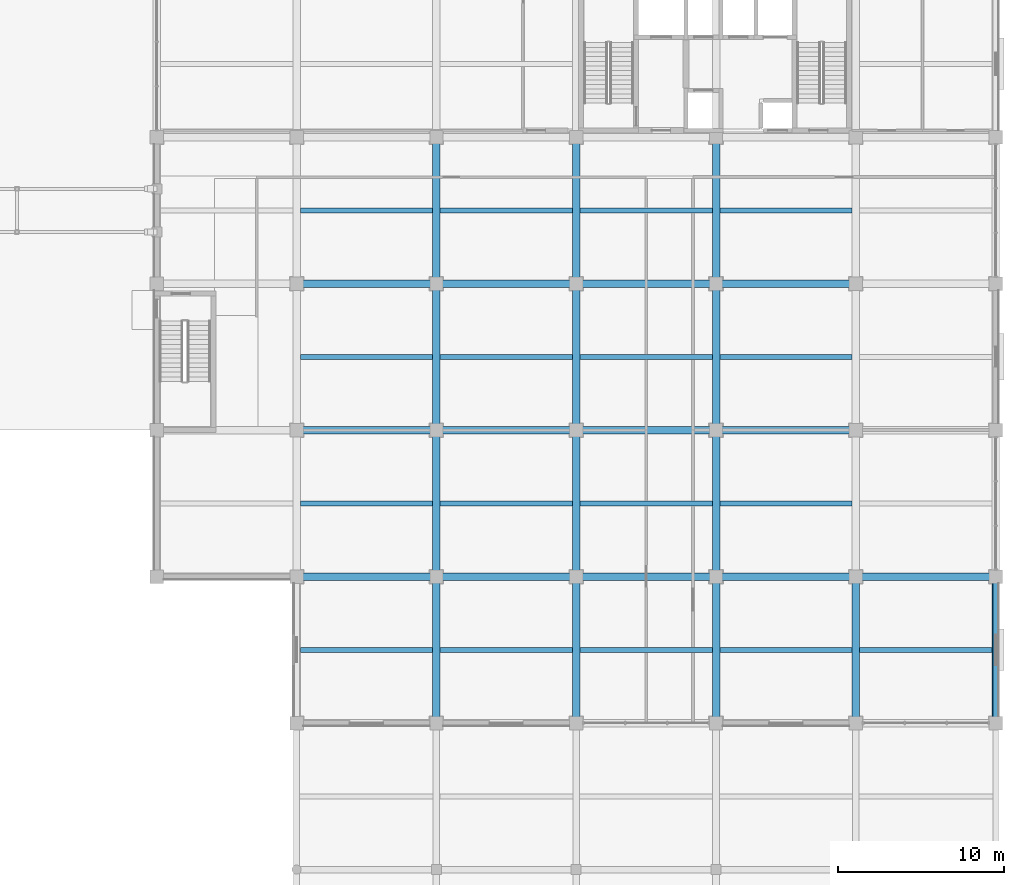
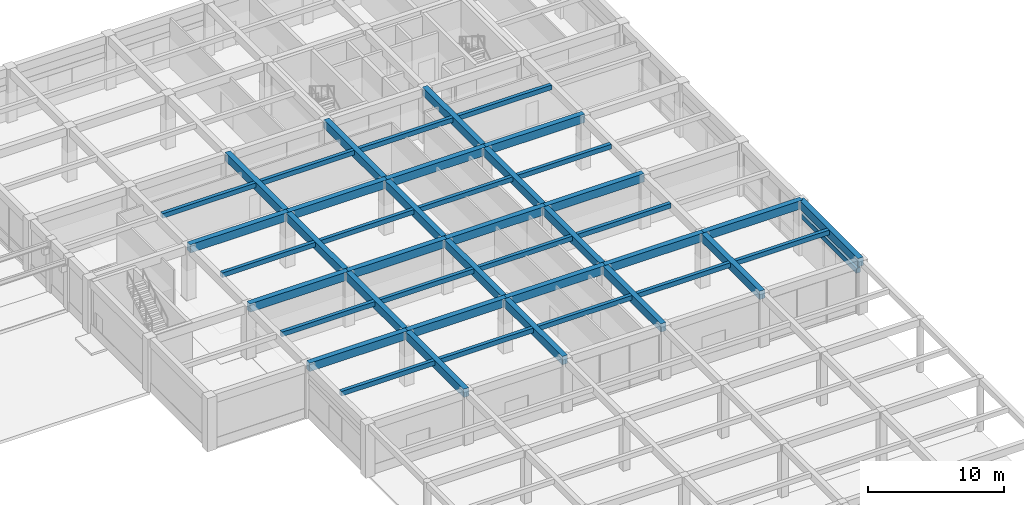
# One storey, part 22 of 58: 45 beams.
"""IFC4 building model written with IfcOpenShell, lengths in metres."""

import ifcopenshell
import ifcopenshell.guid

model = None  # the IFC model being written
_history = None  # IfcOwnerHistory: only IFC2X3 demands one
_inside = {}  # id of a spatial element -> (the spatial element, [elements in it])
_under = {}  # id of a project, library or spatial element -> (it, [spatial elements below it])
_declared = {}  # id of a project -> (the project, [libraries it declares])
_typed = {}  # id of a type object -> (the type object, [elements of that type])
_made_of = {}  # id of a material, layer set ... -> (it, [elements and type objects made of it])


def new_model(schema):
    """Start an empty IFC model of exactly this schema.

    Asked for "IFC4X3", IfcOpenShell would pick the latest addendum, in which some entities
    have other attributes; the version numbers below select the first issue.
    IFC2X3 requires an IfcOwnerHistory on every rooted entity: one is made here for all.
    """
    global model, _history
    if schema == "IFC4X3":
        model = ifcopenshell.file(schema_version=(4, 3, 0, 0))
    else:
        model = ifcopenshell.file(schema=schema)
    _inside.clear()
    _under.clear()
    _declared.clear()
    _typed.clear()
    _made_of.clear()
    _history = None
    if model.schema == "IFC2X3":
        org = make("IfcOrganization", Name="unknown")
        user = make(
            "IfcPersonAndOrganization",
            ThePerson=make("IfcPerson", FamilyName="unknown"),
            TheOrganization=org,
        )
        app = make(
            "IfcApplication",
            ApplicationDeveloper=org,
            Version="unknown",
            ApplicationFullName="unknown",
            ApplicationIdentifier="unknown",
        )
        _history = make(
            "IfcOwnerHistory",
            OwningUser=user,
            OwningApplication=app,
            ChangeAction="ADDED",
            CreationDate=0,
        )
    return model


def make(cls, **values):
    """One entity of the class cls with the attributes given. An attribute that is None is left unset."""
    return model.create_entity(
        cls, **{name: value for name, value in values.items() if value is not None}
    )


def rooted(cls, **values):
    """An entity with a GlobalId (a new one), such as an element, a storey or a relation."""
    return make(cls, GlobalId=ifcopenshell.guid.new(), OwnerHistory=_history, **values)


def si_unit(unit_type, name, prefix=None):
    """IfcSIUnit, for example si_unit("LENGTHUNIT", "METRE", prefix="MILLI")."""
    return make("IfcSIUnit", UnitType=unit_type, Prefix=prefix, Name=name)


def assignment(units):
    """IfcUnitAssignment: the units of a project."""
    return None if units is None else make("IfcUnitAssignment", Units=units)


def point(xyz):
    """IfcCartesianPoint."""
    return None if xyz is None else make("IfcCartesianPoint", Coordinates=xyz)


def direction(xyz):
    """IfcDirection."""
    return None if xyz is None else make("IfcDirection", DirectionRatios=xyz)


def frame(location, z_axis=None, x_axis=None):
    """IfcAxis2Placement3D, a coordinate frame: its origin and axes. An axis left out is left unset."""
    return make(
        "IfcAxis2Placement3D",
        Location=point(location),
        Axis=direction(z_axis),
        RefDirection=direction(x_axis),
    )


def frame_2d(location, x_axis=None):
    """IfcAxis2Placement2D, a coordinate frame in the plane: its origin and x axis."""
    return make(
        "IfcAxis2Placement2D", Location=point(location), RefDirection=direction(x_axis)
    )


def origin():
    """The frame at (0, 0, 0) with its axes left unset."""
    return frame((0.0, 0.0, 0.0))


def origin_2d():
    """The frame at (0, 0) in the plane with its x axis left unset."""
    return frame_2d((0.0, 0.0))


def place(relative_to, where):
    """IfcLocalPlacement: puts the frame where relative to a parent placement (None: the world)."""
    return make(
        "IfcLocalPlacement", PlacementRelTo=relative_to, RelativePlacement=where
    )


def context(
    kind, dimensions, precision=None, world=None, true_north=None, identifier=None
):
    """IfcGeometricRepresentationContext, for example the 3D "Model" context."""
    return make(
        "IfcGeometricRepresentationContext",
        ContextIdentifier=identifier,
        ContextType=kind,
        CoordinateSpaceDimension=dimensions,
        Precision=precision,
        WorldCoordinateSystem=world,
        TrueNorth=true_north,
    )


def subcontext(parent, identifier, kind, view, scale=None):
    """IfcGeometricRepresentationSubContext, for example "Body" below "Model"."""
    return make(
        "IfcGeometricRepresentationSubContext",
        ContextIdentifier=identifier,
        ContextType=kind,
        ParentContext=parent,
        TargetScale=scale,
        TargetView=view,
    )


def project(units=None, contexts=None):
    """IfcProject with its units and contexts."""
    return rooted(
        "IfcProject",
        Name="project",
        RepresentationContexts=contexts,
        UnitsInContext=assignment(units),
    )


def spatial(cls, under=None, at=None, **own):
    """A site, building, storey or space (cls), placed at a placement, below another one or the project."""
    s = rooted(cls, ObjectPlacement=at, **own)
    if under is not None:
        _under.setdefault(under.id(), (under, []))[1].append(s)
    return s


def profile(cls, at=None, kind="AREA", **sizes):
    """A parametric profile (cls). Its sizes go by their IFC names, for example OverallWidth=200.0."""
    return make(cls, ProfileType=kind, Position=at, **sizes)


def rectangle(**sizes):
    """IfcRectangleProfileDef."""
    return profile("IfcRectangleProfileDef", **sizes)


def extrude(swept, where, along, depth):
    """IfcExtrudedAreaSolid: the profile swept, set in the frame where, extruded along a direction by depth."""
    return make(
        "IfcExtrudedAreaSolid",
        SweptArea=swept,
        Position=where,
        ExtrudedDirection=direction(along),
        Depth=depth,
    )


def shape(context_of_items, identifier, shape_type, items):
    """IfcShapeRepresentation: the items that make up one representation, for example the "Body"."""
    return make(
        "IfcShapeRepresentation",
        ContextOfItems=context_of_items,
        RepresentationIdentifier=identifier,
        RepresentationType=shape_type,
        Items=items,
    )


def material(Name=None, Category=None):
    """IfcMaterial."""
    return make("IfcMaterial", Name=Name, Category=Category)


def material_profile(
    of_material, cross_section, Name=None, Category=None, Priority=None
):
    """IfcMaterialProfile: a cross section and its material."""
    return make(
        "IfcMaterialProfile",
        Name=Name,
        Material=of_material,
        Profile=cross_section,
        Priority=Priority,
        Category=Category,
    )


def profile_set(profiles, Name=None, composite=None):
    """IfcMaterialProfileSet."""
    return make(
        "IfcMaterialProfileSet",
        Name=Name,
        MaterialProfiles=profiles,
        CompositeProfile=composite,
    )


def made_of(thing, what):
    """Note that an element or type object is made of a material, layer set ...; save() writes the relation."""
    if what is not None:
        _made_of.setdefault(what.id(), (what, []))[1].append(thing)
    return thing


def type_object(cls, material=None, **own):
    """A type object (cls), such as IfcWallType, which elements share."""
    return made_of(rooted(cls, **own), material)


def element(
    cls,
    number,
    at=None,
    inside=None,
    cuts=None,
    type_object=None,
    material=None,
    context=None,
    identifier="Body",
    shape_type=None,
    held_by="IfcProductDefinitionShape",
    body=None,
    shapes=None,
    **own,
):
    """One element of the class cls, such as IfcWall. Its Tag is "e" and its number.

    at: its placement. inside: the storey or other place that contains it. cuts: it is an
    opening in that element (IfcRelVoidsElement). A single representation is given by context,
    identifier, shape_type and body (its items); several are given by shapes. held_by: the class
    of the entity that holds the representations. save() writes the other relations.
    """
    e = rooted(cls, Tag="e%d" % number, ObjectPlacement=at, **own)
    if body is not None:
        shapes = [shape(context, identifier, shape_type, body)]
    if shapes is not None:
        e.Representation = make(held_by, Representations=shapes)
    if inside is not None:
        _inside.setdefault(inside.id(), (inside, []))[1].append(e)
    if cuts is not None:
        rooted(
            "IfcRelVoidsElement", RelatingBuildingElement=cuts, RelatedOpeningElement=e
        )
    if type_object is not None:
        _typed.setdefault(type_object.id(), (type_object, []))[1].append(e)
    return made_of(e, material)


def aggregate(whole, parts):
    """IfcRelAggregates: a whole, such as a stair, and the parts it consists of."""
    return rooted("IfcRelAggregates", RelatingObject=whole, RelatedObjects=parts)


def save(model, path):
    """Write the relations noted so far, then the file.

    IfcRelAggregates (storeys below a building ...), IfcRelContainedInSpatialStructure (elements
    in a storey), IfcRelDefinesByType, IfcRelAssociatesMaterial and IfcRelDeclares: one each for
    every whole, place, type object, material and project.
    """
    for whole, parts in _under.values():
        aggregate(whole, parts)
    for where, things in _inside.values():
        rooted(
            "IfcRelContainedInSpatialStructure",
            RelatedElements=things,
            RelatingStructure=where,
        )
    for kind, things in _typed.values():
        rooted("IfcRelDefinesByType", RelatedObjects=things, RelatingType=kind)
    for what, things in _made_of.values():
        rooted("IfcRelAssociatesMaterial", RelatedObjects=things, RelatingMaterial=what)
    for by, libraries in _declared.values():
        rooted("IfcRelDeclares", RelatingContext=by, RelatedDefinitions=libraries)
    model.write(path)


model = new_model("IFC4")

# Units and contexts
model_context = context("Model", 3, precision=1e-05, world=origin(), true_north=direction((0.0, 1.0)))
body_context = subcontext(model_context, "Body", "Model", "MODEL_VIEW")
ifc_project = project(units=[si_unit("LENGTHUNIT", "METRE"), si_unit("AREAUNIT", "SQUARE_METRE"), si_unit("VOLUMEUNIT", "CUBIC_METRE"), si_unit("PLANEANGLEUNIT", "RADIAN"), si_unit("MASSUNIT", "GRAM", prefix="KILO")], contexts=[model_context])

# Site, building, storey
site_placement = place(None, origin())
site = spatial("IfcSite", under=ifc_project, at=site_placement, CompositionType="ELEMENT")
building_placement = place(site_placement, origin())
building = spatial("IfcBuilding", under=site, at=building_placement, Name="Kemercrest Conservatory and Botanical Centre", CompositionType="ELEMENT")
storey_placement = place(building_placement, origin())
storey = spatial("IfcBuildingStorey", under=building, at=storey_placement, Name="L00", CompositionType="ELEMENT", Elevation=0.0)

# Beams
ifc_material_1 = material(Name="Concrete C40/50", Category="concrete")
ifc_material_profile_1 = material_profile(ifc_material_1, rectangle(XDim=0.449951171875, YDim=0.75, at=origin_2d()), Name="RC 450x750")
ifc_profile_set_1 = profile_set([ifc_material_profile_1], Name="Concrete C40/50")
beam_type_1 = type_object("IfcBeamType", Name="BM-RC75", PredefinedType="BEAM", material=ifc_profile_set_1)
beam_1_placement = place(storey_placement, frame((134.0, 78.39990234375, 4.425048828125), z_axis=(1.0, 0.0, 0.0), x_axis=(0.0, 1.0, 0.0)))
element("IfcBeam", 1, at=beam_1_placement, inside=storey, type_object=beam_type_1, Name="V4-L01 beam BM-RC75 J/16-17", PredefinedType="BEAM", context=body_context, shape_type="SweptSolid", body=[
    extrude(rectangle(XDim=0.449951171875, YDim=0.75, at=origin_2d()), origin(), (0.0, 0.0, 1.0), 8.39990234375),
])
beam_2_placement = place(storey_placement, frame((142.39990234375, 78.39990234375, 4.425048828125), z_axis=(1.0, 0.0, 0.0), x_axis=(0.0, 1.0, 0.0)))
element("IfcBeam", 2, at=beam_2_placement, inside=storey, type_object=beam_type_1, Name="V4-L01 beam BM-RC75 J/17-18", PredefinedType="BEAM", context=body_context, shape_type="SweptSolid", body=[
    extrude(rectangle(XDim=0.449951171875, YDim=0.75, at=origin_2d()), origin(), (0.0, 0.0, 1.0), 8.400146484375),
])
beam_3_placement = place(storey_placement, frame((150.800048828125, 78.39990234375, 4.425048828125), z_axis=(1.0, 0.0, 0.0), x_axis=(0.0, 1.0, 0.0)))
element("IfcBeam", 3, at=beam_3_placement, inside=storey, type_object=beam_type_1, Name="V4-L01 beam BM-RC75 J/18-19", PredefinedType="BEAM", context=body_context, shape_type="SweptSolid", body=[
    extrude(rectangle(XDim=0.449951171875, YDim=0.75, at=origin_2d()), origin(), (0.0, 0.0, 1.0), 8.39990234375),
])
beam_4_placement = place(storey_placement, frame((159.199951171875, 78.39990234375, 4.425048828125), z_axis=(1.0, 0.0, 0.0), x_axis=(0.0, 1.0, 0.0)))
element("IfcBeam", 4, at=beam_4_placement, inside=storey, type_object=beam_type_1, Name="V4-L01 beam BM-RC75 J/19-20", PredefinedType="BEAM", context=body_context, shape_type="SweptSolid", body=[
    extrude(rectangle(XDim=0.449951171875, YDim=0.75, at=origin_2d()), origin(), (0.0, 0.0, 1.0), 8.400146484375),
])
for number, where, z_axis, x_axis, name in (
    (5, (167.60009765625, 78.39990234375, 4.425048828125), (1.0, 0.0, 0.0), (0.0, 1.0, 0.0), "V4-L01 beam BM-RC75 J/20-21"),
    (6, (134.0, 87.199951171875, 4.425048828125), (1.0, 0.0, 0.0), (0.0, 1.0, 0.0), "V4-L01 beam BM-RC75 K/16-17"),
):
    element("IfcBeam", number, at=place(storey_placement, frame(where, z_axis=z_axis, x_axis=x_axis)), inside=storey, type_object=beam_type_1, Name=name, PredefinedType="BEAM", context=body_context, shape_type="SweptSolid", body=[
        extrude(rectangle(XDim=0.449951171875, YDim=0.75, at=origin_2d()), origin(), (0.0, 0.0, 1.0), 8.39990234375),
    ])
beam_5_placement = place(storey_placement, frame((142.39990234375, 87.199951171875, 4.425048828125), z_axis=(1.0, 0.0, 0.0), x_axis=(0.0, 1.0, 0.0)))
element("IfcBeam", 7, at=beam_5_placement, inside=storey, type_object=beam_type_1, Name="V4-L01 beam BM-RC75 K/17-18", PredefinedType="BEAM", context=body_context, shape_type="SweptSolid", body=[
    extrude(rectangle(XDim=0.449951171875, YDim=0.75, at=origin_2d()), origin(), (0.0, 0.0, 1.0), 8.400146484375),
])
beam_6_placement = place(storey_placement, frame((150.800048828125, 87.199951171875, 4.425048828125), z_axis=(1.0, 0.0, 0.0), x_axis=(0.0, 1.0, 0.0)))
element("IfcBeam", 8, at=beam_6_placement, inside=storey, type_object=beam_type_1, Name="V4-L01 beam BM-RC75 K/18-19", PredefinedType="BEAM", context=body_context, shape_type="SweptSolid", body=[
    extrude(rectangle(XDim=0.449951171875, YDim=0.75, at=origin_2d()), origin(), (0.0, 0.0, 1.0), 8.39990234375),
])
beam_7_placement = place(storey_placement, frame((159.199951171875, 87.199951171875, 4.425048828125), z_axis=(1.0, 0.0, 0.0), x_axis=(0.0, 1.0, 0.0)))
element("IfcBeam", 9, at=beam_7_placement, inside=storey, type_object=beam_type_1, Name="V4-L01 beam BM-RC75 K/19-20", PredefinedType="BEAM", context=body_context, shape_type="SweptSolid", body=[
    extrude(rectangle(XDim=0.449951171875, YDim=0.75, at=origin_2d()), origin(), (0.0, 0.0, 1.0), 8.400146484375),
])
beam_8_placement = place(storey_placement, frame((134.0, 96.0, 4.425048828125), z_axis=(1.0, 0.0, 0.0), x_axis=(0.0, 1.0, 0.0)))
element("IfcBeam", 10, at=beam_8_placement, inside=storey, type_object=beam_type_1, Name="V4-L01 beam BM-RC75 L/16-17", PredefinedType="BEAM", context=body_context, shape_type="SweptSolid", body=[
    extrude(rectangle(XDim=0.449951171875, YDim=0.75, at=origin_2d()), origin(), (0.0, 0.0, 1.0), 8.39990234375),
])
beam_9_placement = place(storey_placement, frame((142.39990234375, 96.0, 4.425048828125), z_axis=(1.0, 0.0, 0.0), x_axis=(0.0, 1.0, 0.0)))
element("IfcBeam", 11, at=beam_9_placement, inside=storey, type_object=beam_type_1, Name="V4-L01 beam BM-RC75 L/17-18", PredefinedType="BEAM", context=body_context, shape_type="SweptSolid", body=[
    extrude(rectangle(XDim=0.449951171875, YDim=0.75, at=origin_2d()), origin(), (0.0, 0.0, 1.0), 8.400146484375),
])
beam_10_placement = place(storey_placement, frame((150.800048828125, 96.0, 4.425048828125), z_axis=(1.0, 0.0, 0.0), x_axis=(0.0, 1.0, 0.0)))
element("IfcBeam", 12, at=beam_10_placement, inside=storey, type_object=beam_type_1, Name="V4-L01 beam BM-RC75 L/18-19", PredefinedType="BEAM", context=body_context, shape_type="SweptSolid", body=[
    extrude(rectangle(XDim=0.449951171875, YDim=0.75, at=origin_2d()), origin(), (0.0, 0.0, 1.0), 8.39990234375),
])
beam_11_placement = place(storey_placement, frame((159.199951171875, 96.0, 4.425048828125), z_axis=(1.0, 0.0, 0.0), x_axis=(0.0, 1.0, 0.0)))
element("IfcBeam", 13, at=beam_11_placement, inside=storey, type_object=beam_type_1, Name="V4-L01 beam BM-RC75 L/19-20", PredefinedType="BEAM", context=body_context, shape_type="SweptSolid", body=[
    extrude(rectangle(XDim=0.449951171875, YDim=0.75, at=origin_2d()), origin(), (0.0, 0.0, 1.0), 8.400146484375),
])
beam_12_placement = place(storey_placement, frame((142.39990234375, 69.60009765625, 4.425048828125), z_axis=(0.0, 1.0, 0.0), x_axis=(-1.0, 0.0, 0.0)))
element("IfcBeam", 14, at=beam_12_placement, inside=storey, type_object=beam_type_1, Name="V4-L01 beam BM-RC75 17/H-J", PredefinedType="BEAM", context=body_context, shape_type="SweptSolid", body=[
    extrude(rectangle(XDim=0.449951171875, YDim=0.75, at=origin_2d()), origin(), (0.0, 0.0, 1.0), 8.7998046875),
])
for number, where, z_axis, x_axis, name in (
    (15, (142.39990234375, 78.39990234375, 4.425048828125), (0.0, 1.0, 0.0), (-1.0, 0.0, 0.0), "V4-L01 beam BM-RC75 17/J-K"),
    (16, (142.39990234375, 87.199951171875, 4.425048828125), (0.0, 1.0, 0.0), (-1.0, 0.0, 0.0), "V4-L01 beam BM-RC75 17/K-L"),
    (17, (142.39990234375, 96.0, 4.425048828125), (0.0, 1.0, 0.0), (-1.0, 0.0, 0.0), "V4-L01 beam BM-RC75 17/L-M"),
):
    element("IfcBeam", number, at=place(storey_placement, frame(where, z_axis=z_axis, x_axis=x_axis)), inside=storey, type_object=beam_type_1, Name=name, PredefinedType="BEAM", context=body_context, shape_type="SweptSolid", body=[
        extrude(rectangle(XDim=0.449951171875, YDim=0.75, at=origin_2d()), origin(), (0.0, 0.0, 1.0), 8.800048828125),
    ])
beam_13_placement = place(storey_placement, frame((150.800048828125, 69.60009765625, 4.425048828125), z_axis=(0.0, 1.0, 0.0), x_axis=(-1.0, 0.0, 0.0)))
element("IfcBeam", 18, at=beam_13_placement, inside=storey, type_object=beam_type_1, Name="V4-L01 beam BM-RC75 18/H-J", PredefinedType="BEAM", context=body_context, shape_type="SweptSolid", body=[
    extrude(rectangle(XDim=0.449951171875, YDim=0.75, at=origin_2d()), origin(), (0.0, 0.0, 1.0), 8.7998046875),
])
for number, where, z_axis, x_axis, name in (
    (19, (150.800048828125, 78.39990234375, 4.425048828125), (0.0, 1.0, 0.0), (-1.0, 0.0, 0.0), "V4-L01 beam BM-RC75 18/J-K"),
    (20, (150.800048828125, 87.199951171875, 4.425048828125), (0.0, 1.0, 0.0), (-1.0, 0.0, 0.0), "V4-L01 beam BM-RC75 18/K-L"),
    (21, (150.800048828125, 96.0, 4.425048828125), (0.0, 1.0, 0.0), (-1.0, 0.0, 0.0), "V4-L01 beam BM-RC75 18/L-M"),
):
    element("IfcBeam", number, at=place(storey_placement, frame(where, z_axis=z_axis, x_axis=x_axis)), inside=storey, type_object=beam_type_1, Name=name, PredefinedType="BEAM", context=body_context, shape_type="SweptSolid", body=[
        extrude(rectangle(XDim=0.449951171875, YDim=0.75, at=origin_2d()), origin(), (0.0, 0.0, 1.0), 8.800048828125),
    ])
beam_14_placement = place(storey_placement, frame((159.199951171875, 69.60009765625, 4.425048828125), z_axis=(0.0, 1.0, 0.0), x_axis=(-1.0, 0.0, 0.0)))
element("IfcBeam", 22, at=beam_14_placement, inside=storey, type_object=beam_type_1, Name="V4-L01 beam BM-RC75 19/H-J", PredefinedType="BEAM", context=body_context, shape_type="SweptSolid", body=[
    extrude(rectangle(XDim=0.449951171875, YDim=0.75, at=origin_2d()), origin(), (0.0, 0.0, 1.0), 8.7998046875),
])
for number, where, z_axis, x_axis, name in (
    (23, (159.199951171875, 78.39990234375, 4.425048828125), (0.0, 1.0, 0.0), (-1.0, 0.0, 0.0), "V4-L01 beam BM-RC75 19/J-K"),
    (24, (159.199951171875, 87.199951171875, 4.425048828125), (0.0, 1.0, 0.0), (-1.0, 0.0, 0.0), "V4-L01 beam BM-RC75 19/K-L"),
    (25, (159.199951171875, 96.0, 4.425048828125), (0.0, 1.0, 0.0), (-1.0, 0.0, 0.0), "V4-L01 beam BM-RC75 19/L-M"),
):
    element("IfcBeam", number, at=place(storey_placement, frame(where, z_axis=z_axis, x_axis=x_axis)), inside=storey, type_object=beam_type_1, Name=name, PredefinedType="BEAM", context=body_context, shape_type="SweptSolid", body=[
        extrude(rectangle(XDim=0.449951171875, YDim=0.75, at=origin_2d()), origin(), (0.0, 0.0, 1.0), 8.800048828125),
    ])
beam_15_placement = place(storey_placement, frame((167.60009765625, 69.60009765625, 4.425048828125), z_axis=(0.0, 1.0, 0.0), x_axis=(-1.0, 0.0, 0.0)))
element("IfcBeam", 26, at=beam_15_placement, inside=storey, type_object=beam_type_1, Name="V4-L01 beam BM-RC75 20/H-J", PredefinedType="BEAM", context=body_context, shape_type="SweptSolid", body=[
    extrude(rectangle(XDim=0.449951171875, YDim=0.75, at=origin_2d()), origin(), (0.0, 0.0, 1.0), 8.7998046875),
])
ifc_material_profile_2 = material_profile(ifc_material_1, rectangle(XDim=0.300048828125, YDim=0.419921875, at=origin_2d()), Name="RC 300x420")
ifc_profile_set_2 = profile_set([ifc_material_profile_2], Name="Concrete C40/50")
beam_type_2 = type_object("IfcBeamType", Name="JS-RC42", PredefinedType="JOIST", material=ifc_profile_set_2)
for number, where, z_axis, x_axis, name in (
    (27, (134.22509765625, 74.0, 4.590087890625), (1.0, 0.0, 0.0), (0.0, 1.0, 0.0), "V4-L01 secondary joist JS-RC42"),
    (28, (142.625, 74.0, 4.590087890625), (1.0, 0.0, 0.0), (0.0, 1.0, 0.0), "V4-L01 secondary joist JS-RC42"),
):
    element("IfcBeam", number, at=place(storey_placement, frame(where, z_axis=z_axis, x_axis=x_axis)), inside=storey, type_object=beam_type_2, Name=name, PredefinedType="JOIST", context=body_context, shape_type="SweptSolid", body=[
        extrude(rectangle(XDim=0.300048828125, YDim=0.419921875, at=origin_2d()), origin(), (0.0, 0.0, 1.0), 7.949951171875),
    ])
beam_16_placement = place(storey_placement, frame((151.02490234375, 74.0, 4.590087890625), z_axis=(1.0, 0.0, 0.0), x_axis=(0.0, 1.0, 0.0)))
element("IfcBeam", 29, at=beam_16_placement, inside=storey, type_object=beam_type_2, Name="V4-L01 secondary joist JS-RC42", PredefinedType="JOIST", context=body_context, shape_type="SweptSolid", body=[
    extrude(rectangle(XDim=0.300048828125, YDim=0.419921875, at=origin_2d()), origin(), (0.0, 0.0, 1.0), 7.9501953125),
])
for number, where, z_axis, x_axis, name in (
    (30, (159.425048828125, 74.0, 4.590087890625), (1.0, 0.0, 0.0), (0.0, 1.0, 0.0), "V4-L01 secondary joist JS-RC42"),
    (31, (167.824951171875, 74.0, 4.590087890625), (1.0, 0.0, 0.0), (0.0, 1.0, 0.0), "V4-L01 secondary joist JS-RC42"),
    (32, (134.22509765625, 82.800048828125, 4.590087890625), (1.0, 0.0, 0.0), (0.0, 1.0, 0.0), "V4-L01 secondary joist JS-RC42"),
    (33, (142.625, 82.800048828125, 4.590087890625), (1.0, 0.0, 0.0), (0.0, 1.0, 0.0), "V4-L01 secondary joist JS-RC42"),
):
    element("IfcBeam", number, at=place(storey_placement, frame(where, z_axis=z_axis, x_axis=x_axis)), inside=storey, type_object=beam_type_2, Name=name, PredefinedType="JOIST", context=body_context, shape_type="SweptSolid", body=[
        extrude(rectangle(XDim=0.300048828125, YDim=0.419921875, at=origin_2d()), origin(), (0.0, 0.0, 1.0), 7.949951171875),
    ])
beam_17_placement = place(storey_placement, frame((151.02490234375, 82.800048828125, 4.590087890625), z_axis=(1.0, 0.0, 0.0), x_axis=(0.0, 1.0, 0.0)))
element("IfcBeam", 34, at=beam_17_placement, inside=storey, type_object=beam_type_2, Name="V4-L01 secondary joist JS-RC42", PredefinedType="JOIST", context=body_context, shape_type="SweptSolid", body=[
    extrude(rectangle(XDim=0.300048828125, YDim=0.419921875, at=origin_2d()), origin(), (0.0, 0.0, 1.0), 7.9501953125),
])
for number, where, z_axis, x_axis, name in (
    (35, (159.425048828125, 82.800048828125, 4.590087890625), (1.0, 0.0, 0.0), (0.0, 1.0, 0.0), "V4-L01 secondary joist JS-RC42"),
    (36, (134.22509765625, 91.60009765625, 4.590087890625), (1.0, 0.0, 0.0), (0.0, 1.0, 0.0), "V4-L01 secondary joist JS-RC42"),
    (37, (142.625, 91.60009765625, 4.590087890625), (1.0, 0.0, 0.0), (0.0, 1.0, 0.0), "V4-L01 secondary joist JS-RC42"),
):
    element("IfcBeam", number, at=place(storey_placement, frame(where, z_axis=z_axis, x_axis=x_axis)), inside=storey, type_object=beam_type_2, Name=name, PredefinedType="JOIST", context=body_context, shape_type="SweptSolid", body=[
        extrude(rectangle(XDim=0.300048828125, YDim=0.419921875, at=origin_2d()), origin(), (0.0, 0.0, 1.0), 7.949951171875),
    ])
beam_18_placement = place(storey_placement, frame((151.02490234375, 91.60009765625, 4.590087890625), z_axis=(1.0, 0.0, 0.0), x_axis=(0.0, 1.0, 0.0)))
element("IfcBeam", 38, at=beam_18_placement, inside=storey, type_object=beam_type_2, Name="V4-L01 secondary joist JS-RC42", PredefinedType="JOIST", context=body_context, shape_type="SweptSolid", body=[
    extrude(rectangle(XDim=0.300048828125, YDim=0.419921875, at=origin_2d()), origin(), (0.0, 0.0, 1.0), 7.9501953125),
])
for number, where, z_axis, x_axis, name in (
    (39, (159.425048828125, 91.60009765625, 4.590087890625), (1.0, 0.0, 0.0), (0.0, 1.0, 0.0), "V4-L01 secondary joist JS-RC42"),
    (40, (134.22509765625, 100.39990234375, 4.590087890625), (1.0, 0.0, 0.0), (0.0, 1.0, 0.0), "V4-L01 secondary joist JS-RC42"),
    (41, (142.625, 100.39990234375, 4.590087890625), (1.0, 0.0, 0.0), (0.0, 1.0, 0.0), "V4-L01 secondary joist JS-RC42"),
):
    element("IfcBeam", number, at=place(storey_placement, frame(where, z_axis=z_axis, x_axis=x_axis)), inside=storey, type_object=beam_type_2, Name=name, PredefinedType="JOIST", context=body_context, shape_type="SweptSolid", body=[
        extrude(rectangle(XDim=0.300048828125, YDim=0.419921875, at=origin_2d()), origin(), (0.0, 0.0, 1.0), 7.949951171875),
    ])
beam_19_placement = place(storey_placement, frame((151.02490234375, 100.39990234375, 4.590087890625), z_axis=(1.0, 0.0, 0.0), x_axis=(0.0, 1.0, 0.0)))
element("IfcBeam", 42, at=beam_19_placement, inside=storey, type_object=beam_type_2, Name="V4-L01 secondary joist JS-RC42", PredefinedType="JOIST", context=body_context, shape_type="SweptSolid", body=[
    extrude(rectangle(XDim=0.300048828125, YDim=0.419921875, at=origin_2d()), origin(), (0.0, 0.0, 1.0), 7.9501953125),
])
beam_20_placement = place(storey_placement, frame((159.425048828125, 100.39990234375, 4.590087890625), z_axis=(1.0, 0.0, 0.0), x_axis=(0.0, 1.0, 0.0)))
element("IfcBeam", 43, at=beam_20_placement, inside=storey, type_object=beam_type_2, Name="V4-L01 secondary joist JS-RC42", PredefinedType="JOIST", context=body_context, shape_type="SweptSolid", body=[
    extrude(rectangle(XDim=0.300048828125, YDim=0.419921875, at=origin_2d()), origin(), (0.0, 0.0, 1.0), 7.949951171875),
])
ifc_material_2 = material(Name="Precast concrete C40/50", Category="concrete")
ifc_material_profile_3 = material_profile(ifc_material_2, rectangle(XDim=0.35009765625, YDim=0.449951171875, at=origin_2d()), Name="RC 350x450")
ifc_profile_set_3 = profile_set([ifc_material_profile_3], Name="Precast concrete C40/50")
beam_type_3 = type_object("IfcBeamType", Name="LN-RC45", PredefinedType="LINTEL", material=ifc_profile_set_3)
beam_21_placement = place(storey_placement, frame((176.0, 69.949951171875, 3.465087890625), z_axis=(0.0, 1.0, 0.0), x_axis=(-1.0, 0.0, 0.0)))
element("IfcBeam", 44, at=beam_21_placement, inside=storey, type_object=beam_type_3, Name="Precast arched window lintel (WIN:L00:EXT-161)", PredefinedType="LINTEL", context=body_context, shape_type="SweptSolid", body=[
    extrude(rectangle(XDim=0.35009765625, YDim=0.449951171875, at=origin_2d()), origin(), (0.0, 0.0, 1.0), 8.10009765625),
])
ifc_material_profile_4 = material_profile(ifc_material_1, rectangle(XDim=0.449951171875, YDim=0.75, at=origin_2d()), Name="RC 450x750")
ifc_profile_set_4 = profile_set([ifc_material_profile_4], Name="Concrete C40/50")
beam_type_4 = type_object("IfcBeamType", Name="SP-RC75", PredefinedType="SPANDREL", material=ifc_profile_set_4)
beam_22_placement = place(storey_placement, frame((176.0, 69.60009765625, 4.425048828125), z_axis=(0.0, 1.0, 0.0), x_axis=(-1.0, 0.0, 0.0)))
element("IfcBeam", 45, at=beam_22_placement, inside=storey, type_object=beam_type_4, Name="V4-L01 beam SP-RC75 21/H-J", PredefinedType="SPANDREL", context=body_context, shape_type="SweptSolid", body=[
    extrude(rectangle(XDim=0.449951171875, YDim=0.75, at=origin_2d()), origin(), (0.0, 0.0, 1.0), 8.7998046875),
])

save(model, "model.ifc")
